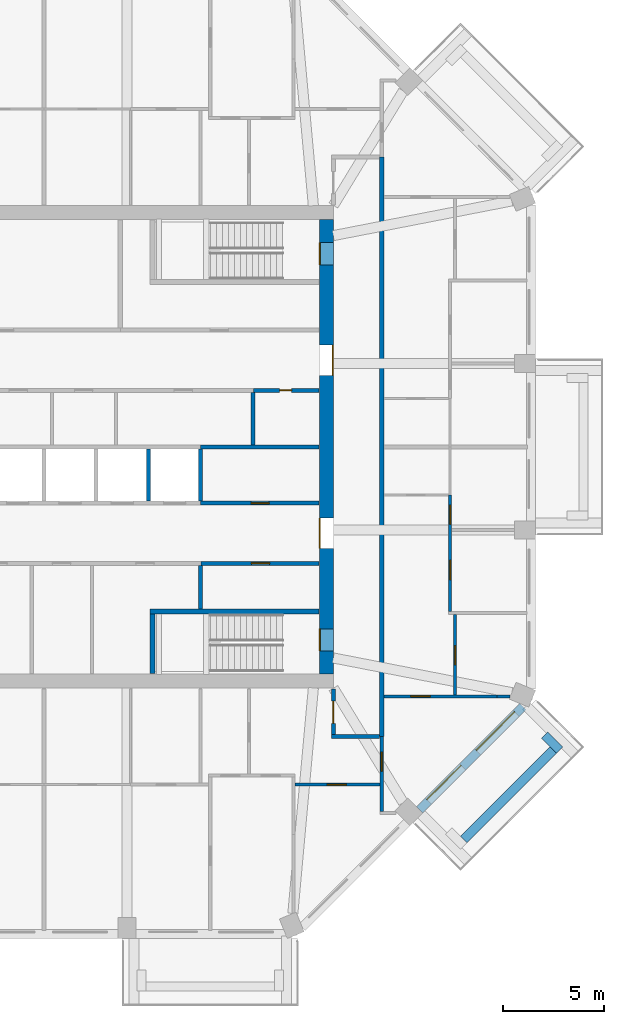
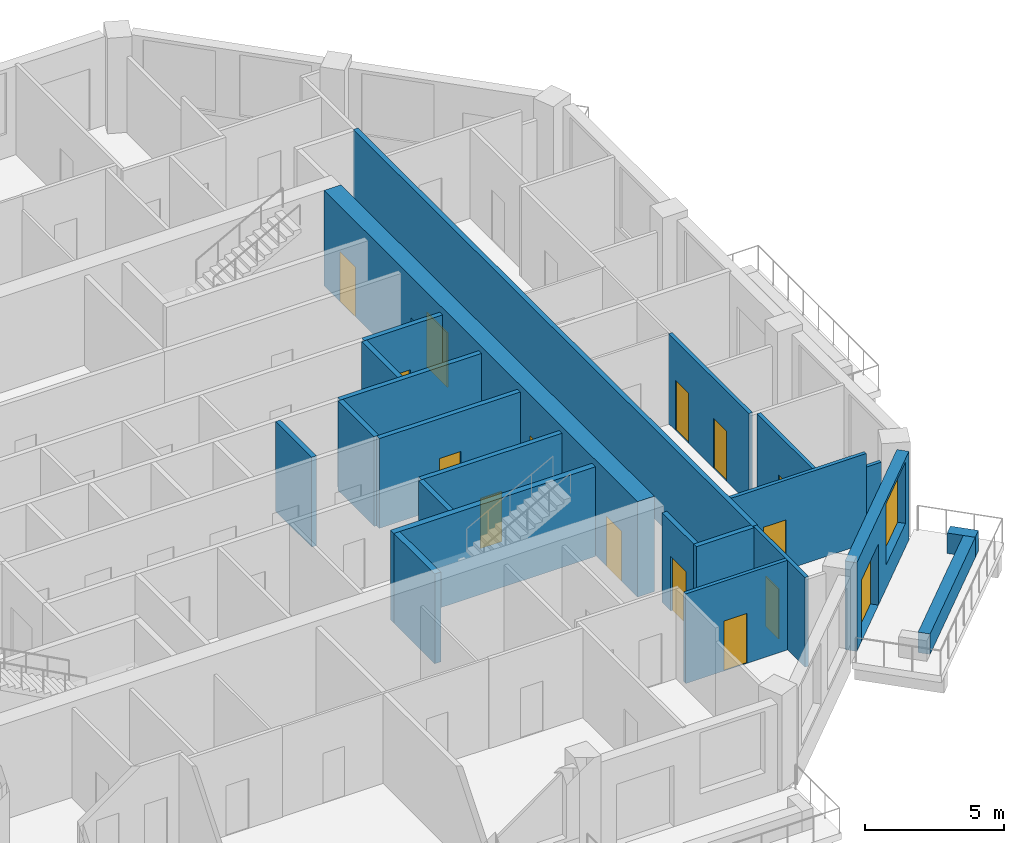
# One storey, part 6 of 12: 23 walls, 15 doors, 1 window, 16 openings.
"""IFC4 building model written with IfcOpenShell, lengths in metres."""

from ifc_helpers import new_model, si_unit, direction, frame, frame_2d, origin, place, context, subcontext, project, spatial, rectangle, extrude, material, layer, layer_set, type_object, element, fill, save


model = new_model("IFC4")

# Units and contexts
model_context = context("Model", 3, precision=1e-05, world=origin(), true_north=direction((0.0, 1.0)))
body_context = subcontext(model_context, "Body", "Model", "MODEL_VIEW")
ifc_project = project(units=[si_unit("LENGTHUNIT", "METRE"), si_unit("AREAUNIT", "SQUARE_METRE"), si_unit("VOLUMEUNIT", "CUBIC_METRE"), si_unit("PLANEANGLEUNIT", "RADIAN"), si_unit("MASSUNIT", "GRAM", prefix="KILO")], contexts=[model_context])

# Site, building, storey
site_placement = place(None, origin())
site = spatial("IfcSite", under=ifc_project, at=site_placement, CompositionType="ELEMENT")
building_placement = place(site_placement, origin())
building = spatial("IfcBuilding", under=site, at=building_placement, Name="Msitu Wima Residences", CompositionType="ELEMENT")
storey_placement = place(building_placement, frame((0.0, 0.0, 174.89990234375)))
storey = spatial("IfcBuildingStorey", under=building, at=storey_placement, Name="L40", CompositionType="ELEMENT", Elevation=174.89990234375)

# Walls
ifc_material_1 = material(Name="Facing brick")
ifc_layer_1 = layer(ifc_material_1, 0.06494140625, Name="Facing brick")
ifc_material_2 = material(Name="Concrete C40/50", Category="concrete")
ifc_layer_2 = layer(ifc_material_2, 0.156005859375, Name="Concrete C40/50")
ifc_material_3 = material(Name="Waterproofing membrane")
ifc_layer_3 = layer(ifc_material_3, 0.00390625, Name="Waterproofing membrane")
ifc_material_4 = material(Name="Planting soil and planting")
ifc_layer_4 = layer(ifc_material_4, 0.22509765625, Name="Planting soil and planting")
ifc_layer_set_1 = layer_set([ifc_layer_1, ifc_layer_2, ifc_layer_3, ifc_layer_4], Name="Concrete C40/50")
wall_type_1 = type_object("IfcWallType", Name="Balcony planter PLANTER PL450", PredefinedType="USERDEFINED", material=ifc_layer_set_1)
wall_1_placement = place(storey_placement, frame((20.875244140625, -19.53173828125, 0.0), z_axis=(0.0, 0.0, 1.0), x_axis=(0.707106781187, 0.707106781187, 0.0)))
element("IfcWall", 1, at=wall_1_placement, inside=storey, type_object=wall_type_1, Name="Balcony planter SE1 L40", ObjectType="PLANTER", PredefinedType="USERDEFINED", context=body_context, shape_type="SweptSolid", body=[
    extrude(rectangle(XDim=6.294189453125, YDim=0.449951171875, at=frame_2d((3.14697265625, 0.0))), origin(), (0.0, 0.0, 1.0), 0.900146484375),
])
wall_2_placement = place(storey_placement, frame((24.901611328125, -14.338623046875, 0.0), z_axis=(0.0, 0.0, 1.0), x_axis=(0.707106781187, -0.707106781187, 0.0)))
element("IfcWall", 2, at=wall_2_placement, inside=storey, type_object=wall_type_1, Name="Balcony planter SE1 L40", ObjectType="PLANTER", PredefinedType="USERDEFINED", context=body_context, shape_type="SweptSolid", body=[
    extrude(rectangle(XDim=1.050048828125, YDim=0.449951171875, at=frame_2d((0.52490234375, 0.0))), origin(), (0.0, 0.0, 1.0), 0.900146484375),
])

# Wall, openings, door, window
ifc_material_5 = material(Name="Brick (red buff mix)", Category="masonry")
ifc_layer_5 = layer(ifc_material_5, 0.449951171875)
ifc_layer_set_2 = layer_set([ifc_layer_5], Name="Brick (red buff mix)")
wall_type_2 = type_object("IfcWallType", Name="Brick infill wall BW450", PredefinedType="SOLIDWALL", material=ifc_layer_set_2)
wall_3_placement = place(storey_placement, frame((18.68310546875, -18.046875, 0.0), z_axis=(0.0, 0.0, 1.0), x_axis=(0.707106781187, 0.707106781187, 0.0)))
wall_3 = element("IfcWall", 3, at=wall_3_placement, inside=storey, type_object=wall_type_2, Name="Brick infill wall L40 SE1", PredefinedType="SOLIDWALL", context=body_context, shape_type="SweptSolid", body=[
    extrude(rectangle(XDim=7.257080078125, YDim=0.449951171875, at=frame_2d((3.62841796875, 0.0))), origin(), (0.0, 0.0, 1.0), 3.900146484375),
])
opening_1_placement = place(wall_3_placement, frame((0.6142578125, 0.0, 0.0)))
opening_1 = element("IfcOpeningElement", 4, at=opening_1_placement, cuts=wall_3, Name="Opening D40-42.008", PredefinedType="OPENING", context=body_context, shape_type="SweptSolid", body=[
    extrude(rectangle(XDim=2.39990234375, YDim=2.699951171875, at=frame_2d((1.199951171875, 1.35009765625))), frame((0.0, 0.23486328125, 0.0), z_axis=(0.0, -1.0, 0.0), x_axis=(1.0, 0.0, 0.0)), (0.0, 0.0, 1.0), 0.469970703125),
])
opening_2_placement = place(wall_3_placement, frame((4.07861328125, 0.0, 1.050048828125)))
opening_2 = element("IfcOpeningElement", 5, at=opening_2_placement, cuts=wall_3, Name="Opening W40-42.022", PredefinedType="OPENING", context=body_context, shape_type="SweptSolid", body=[
    extrude(rectangle(XDim=2.699951171875, YDim=2.699951171875, at=frame_2d((1.35009765625, 1.35009765625))), frame((0.0, 0.23486328125, 0.0), z_axis=(0.0, -1.0, 0.0), x_axis=(1.0, 0.0, 0.0)), (0.0, 0.0, 1.0), 0.469970703125),
])
ifc_material_6 = material(Name="Anodised aluminium, bronze finish, clear low-emissivity double glazing", Category="aluminium")
door_type_1 = type_object("IfcDoorType", Name="Balcony door D2400x2700", OperationType="SLIDING_TO_LEFT", PredefinedType="DOOR", material=ifc_material_6)
door_1_placement = place(opening_1_placement, origin())
door_1 = element("IfcDoor", 6, at=door_1_placement, inside=storey, type_object=door_type_1, Name="Balcony door L40 SE1", OperationType="SINGLE_SWING_LEFT", OverallHeight=2.699951171875, OverallWidth=2.39990234375, PredefinedType="DOOR", context=body_context, shape_type="SweptSolid", body=[
    extrude(rectangle(XDim=2.39990234375, YDim=2.699951171875, at=frame_2d((1.199951171875, 1.35009765625))), frame((0.0, 0.1298828125, 0.0), z_axis=(0.0, -1.0, 0.0), x_axis=(1.0, 0.0, 0.0)), (0.0, 0.0, 1.0), 0.050048828125),
])
fill(opening_1, door_1)
window_type = type_object("IfcWindowType", Name="Window W2700x2700", PartitioningType="DOUBLE_PANEL_VERTICAL", PredefinedType="WINDOW", material=ifc_material_6)
window_placement = place(opening_2_placement, origin())
window = element("IfcWindow", 7, at=window_placement, inside=storey, type_object=window_type, Name="Window L40 SE1.2", OverallHeight=2.699951171875, OverallWidth=2.699951171875, PartitioningType="SINGLE_PANEL", PredefinedType="WINDOW", context=body_context, shape_type="SweptSolid", body=[
    extrude(rectangle(XDim=2.699951171875, YDim=2.699951171875, at=frame_2d((1.35009765625, 1.35009765625))), frame((0.0, 0.135009765625, 0.0), z_axis=(0.0, -1.0, 0.0), x_axis=(1.0, 0.0, 0.0)), (0.0, 0.0, 1.0), 0.06005859375),
])
fill(opening_2, window)

# Wall, openings, doors
ifc_material_7 = material(Name="Concrete C60/75", Category="concrete")
ifc_layer_6 = layer(ifc_material_7, 0.699951171875)
ifc_layer_set_3 = layer_set([ifc_layer_6], Name="Concrete C60/75")
wall_type_3 = type_object("IfcWallType", Name="Core wall CW700 C60/75", PredefinedType="SHEAR", material=ifc_layer_set_3)
wall_4_placement = place(storey_placement, frame((14.050048828125, -11.300048828125, 0.0), z_axis=(0.0, 0.0, 1.0), x_axis=(0.0, 1.0, 0.0)))
wall_4 = element("IfcWall", 8, at=wall_4_placement, inside=storey, type_object=wall_type_3, Name="Core wall", PredefinedType="SHEAR", context=body_context, shape_type="SweptSolid", body=[
    extrude(rectangle(XDim=22.60009765625, YDim=0.699951171875, at=frame_2d((11.300048828125, 0.0))), origin(), (0.0, 0.0, 1.0), 4.2001953125),
])
opening_3_placement = place(wall_4_placement, frame((20.35009765625, 0.0, 0.0)))
opening_3 = element("IfcOpeningElement", 9, at=opening_3_placement, cuts=wall_4, Name="Opening D40-42.091", PredefinedType="OPENING", context=body_context, shape_type="SweptSolid", body=[
    extrude(rectangle(XDim=1.10009765625, YDim=2.199951171875, at=frame_2d((0.550048828125, 1.10009765625))), frame((0.0, 0.35986328125, 0.0), z_axis=(0.0, -1.0, 0.0), x_axis=(1.0, 0.0, 0.0)), (0.0, 0.0, 1.0), 0.719970703125),
])
opening_4_placement = place(wall_4_placement, frame((1.14990234375, 0.0, 0.0)))
opening_4 = element("IfcOpeningElement", 10, at=opening_4_placement, cuts=wall_4, Name="Opening D40-42.092", PredefinedType="OPENING", context=body_context, shape_type="SweptSolid", body=[
    extrude(rectangle(XDim=1.10009765625, YDim=2.199951171875, at=frame_2d((0.550048828125, 1.10009765625))), frame((0.0, 0.35986328125, 0.0), z_axis=(0.0, -1.0, 0.0), x_axis=(1.0, 0.0, 0.0)), (0.0, 0.0, 1.0), 0.719970703125),
])
opening_5_placement = place(wall_4_placement, frame((14.85009765625, 0.0, 0.0)))
opening_5 = element("IfcOpeningElement", 11, at=opening_5_placement, cuts=wall_4, Name="Opening D40-42.079", PredefinedType="OPENING", context=body_context, shape_type="SweptSolid", body=[
    extrude(rectangle(XDim=1.5, YDim=2.39990234375, at=frame_2d((0.75, 1.199951171875))), frame((0.0, 0.35986328125, 0.0), z_axis=(0.0, -1.0, 0.0), x_axis=(1.0, 0.0, 0.0)), (0.0, 0.0, 1.0), 0.719970703125),
])
opening_6_placement = place(wall_4_placement, frame((6.25, 0.0, 0.0)))
opening_6 = element("IfcOpeningElement", 12, at=opening_6_placement, cuts=wall_4, Name="Opening D40-42.080", PredefinedType="OPENING", context=body_context, shape_type="SweptSolid", body=[
    extrude(rectangle(XDim=1.5, YDim=2.39990234375, at=frame_2d((0.75, 1.199951171875))), frame((0.0, 0.35986328125, 0.0), z_axis=(0.0, -1.0, 0.0), x_axis=(1.0, 0.0, 0.0)), (0.0, 0.0, 1.0), 0.719970703125),
])
ifc_material_8 = material(Name="Steel framed glazed door, fire resisting", Category="steel")
door_type_2 = type_object("IfcDoorType", Name="Lobby door D07 1500x2400", OperationType="DOUBLE_DOOR_SINGLE_SWING", PredefinedType="DOOR", material=ifc_material_8)
door_2_placement = place(opening_5_placement, origin())
door_2 = element("IfcDoor", 13, at=door_2_placement, inside=storey, type_object=door_type_2, Name="Lobby door", OperationType="DOUBLE_DOOR_SINGLE_SWING", OverallHeight=2.39990234375, OverallWidth=1.5, PredefinedType="DOOR", context=body_context, shape_type="SweptSolid", body=[
    extrude(rectangle(XDim=1.5, YDim=2.39990234375, at=frame_2d((0.75, 1.199951171875))), frame((0.0, -0.294921875, 0.0), z_axis=(0.0, -1.0, 0.0), x_axis=(1.0, 0.0, 0.0)), (0.0, 0.0, 1.0), 0.050048828125),
])
fill(opening_5, door_2)
door_3_placement = place(opening_6_placement, origin())
door_3 = element("IfcDoor", 14, at=door_3_placement, inside=storey, type_object=door_type_2, Name="Lobby door", OperationType="DOUBLE_DOOR_SINGLE_SWING", OverallHeight=2.39990234375, OverallWidth=1.5, PredefinedType="DOOR", context=body_context, shape_type="SweptSolid", body=[
    extrude(rectangle(XDim=1.5, YDim=2.39990234375, at=frame_2d((0.75, 1.199951171875))), frame((0.0, 0.34521484375, 0.0), z_axis=(0.0, -1.0, 0.0), x_axis=(1.0, 0.0, 0.0)), (0.0, 0.0, 1.0), 0.050048828125),
])
fill(opening_6, door_3)
ifc_material_9 = material(Name="Steel door, fire resisting, panic bar", Category="steel")
door_type_3 = type_object("IfcDoorType", Name="Stair door D06 1100x2200", OperationType="SINGLE_SWING_LEFT", PredefinedType="DOOR", material=ifc_material_9)
door_4_placement = place(opening_3_placement, origin())
door_4 = element("IfcDoor", 15, at=door_4_placement, inside=storey, type_object=door_type_3, Name="Stair door", OperationType="SINGLE_SWING_LEFT", OverallHeight=2.199951171875, OverallWidth=1.10009765625, PredefinedType="DOOR", context=body_context, shape_type="SweptSolid", body=[
    extrude(rectangle(XDim=1.10009765625, YDim=2.199951171875, at=frame_2d((0.550048828125, 1.10009765625))), frame((0.0, 0.34521484375, 0.0), z_axis=(0.0, -1.0, 0.0), x_axis=(1.0, 0.0, 0.0)), (0.0, 0.0, 1.0), 0.050048828125),
])
fill(opening_3, door_4)
door_5_placement = place(opening_4_placement, origin())
door_5 = element("IfcDoor", 16, at=door_5_placement, inside=storey, type_object=door_type_3, Name="Stair door", OperationType="SINGLE_SWING_RIGHT", OverallHeight=2.199951171875, OverallWidth=1.10009765625, PredefinedType="DOOR", context=body_context, shape_type="SweptSolid", body=[
    extrude(rectangle(XDim=1.10009765625, YDim=2.199951171875, at=frame_2d((0.550048828125, 1.10009765625))), frame((0.0, 0.34521484375, 0.0), z_axis=(0.0, -1.0, 0.0), x_axis=(1.0, 0.0, 0.0)), (0.0, 0.0, 1.0), 0.050048828125),
])
fill(opening_4, door_5)

# Wall, opening, door
ifc_material_10 = material(Name="Plaster")
ifc_layer_7 = layer(ifc_material_10, 0.011962890625, Name="Plaster")
ifc_material_11 = material(Name="Concrete blockwork", Category="masonry")
ifc_layer_8 = layer(ifc_material_11, 0.176025390625, Name="Concrete blockwork")
ifc_layer_9 = layer(ifc_material_10, 0.011962890625, Name="Plaster")
ifc_layer_set_4 = layer_set([ifc_layer_7, ifc_layer_8, ifc_layer_9], Name="Concrete blockwork")
wall_type_4 = type_object("IfcWallType", Name="Corridor wall FW200", PredefinedType="PARTITIONING", material=ifc_layer_set_4)
wall_5_placement = place(storey_placement, frame((14.39990234375, -14.300048828125, 0.0), z_axis=(0.0, 0.0, 1.0), x_axis=(0.0, 1.0, 0.0)))
wall_5 = element("IfcWall", 17, at=wall_5_placement, inside=storey, type_object=wall_type_4, Name="Corridor wall", PredefinedType="PARTITIONING", context=body_context, shape_type="SweptSolid", body=[
    extrude(rectangle(XDim=2.27001953125, YDim=0.199951171875, at=frame_2d((1.135009765625, 0.0))), origin(), (0.0, 0.0, 1.0), 3.9501953125),
])
opening_7_placement = place(wall_5_placement, frame((0.550048828125, 0.0, 0.0)))
opening_7 = element("IfcOpeningElement", 18, at=opening_7_placement, cuts=wall_5, Name="Opening D40-42.053", PredefinedType="OPENING", context=body_context, shape_type="SweptSolid", body=[
    extrude(rectangle(XDim=1.10009765625, YDim=2.39990234375, at=frame_2d((0.550048828125, 1.199951171875))), frame((0.0, 0.10986328125, 0.0), z_axis=(0.0, -1.0, 0.0), x_axis=(1.0, 0.0, 0.0)), (0.0, 0.0, 1.0), 0.219970703125),
])
ifc_material_12 = material(Name="Timber flush door, fire resisting, self-closing", Category="wood")
door_type_4 = type_object("IfcDoorType", Name="Flat entrance door D01 1100x2400", OperationType="SINGLE_SWING_LEFT", PredefinedType="DOOR", material=ifc_material_12)
door_6_placement = place(opening_7_placement, origin())
door_6 = element("IfcDoor", 19, at=door_6_placement, inside=storey, type_object=door_type_4, Name="Flat entrance door", OperationType="SINGLE_SWING_RIGHT", OverallHeight=2.39990234375, OverallWidth=1.10009765625, PredefinedType="DOOR", context=body_context, shape_type="SweptSolid", body=[
    extrude(rectangle(XDim=1.10009765625, YDim=2.39990234375, at=frame_2d((0.550048828125, 1.199951171875))), frame((0.0, 0.02490234375, 0.0), z_axis=(0.0, -1.0, 0.0), x_axis=(1.0, 0.0, 0.0)), (0.0, 0.0, 1.0), 0.050048828125),
])
fill(opening_7, door_6)

# Walls
wall_6_placement = place(storey_placement, frame((14.300048828125, -14.39990234375, 0.0), z_axis=(0.0, 0.0, 1.0), x_axis=(1.0, 0.0, 0.0)))
element("IfcWall", 20, at=wall_6_placement, inside=storey, type_object=wall_type_4, Name="Corridor wall", PredefinedType="PARTITIONING", context=body_context, shape_type="SweptSolid", body=[
    extrude(rectangle(XDim=2.39990234375, YDim=0.199951171875, at=frame_2d((1.199951171875, 0.0))), origin(), (0.0, 0.0, 1.0), 3.9501953125),
])
wall_7_placement = place(storey_placement, frame((16.800048828125, -14.39990234375, 0.0), z_axis=(0.0, 0.0, 1.0), x_axis=(0.0, 1.0, 0.0)))
element("IfcWall", 21, at=wall_7_placement, inside=storey, type_object=wall_type_4, Name="Corridor wall", PredefinedType="PARTITIONING", context=body_context, shape_type="SweptSolid", body=[
    extrude(rectangle(XDim=28.7998046875, YDim=0.199951171875, at=frame_2d((14.39990234375, 0.0))), origin(), (0.0, 0.0, 1.0), 3.9501953125),
])

# Wall, opening, door
ifc_layer_10 = layer(ifc_material_10, 0.011962890625, Name="Plaster")
ifc_layer_11 = layer(ifc_material_11, 0.1259765625, Name="Concrete blockwork")
ifc_layer_12 = layer(ifc_material_10, 0.011962890625, Name="Plaster")
ifc_layer_set_5 = layer_set([ifc_layer_10, ifc_layer_11, ifc_layer_12], Name="Concrete blockwork")
wall_type_5 = type_object("IfcWallType", Name="Partition PW150", PredefinedType="PARTITIONING", material=ifc_layer_set_5)
wall_8_placement = place(storey_placement, frame((12.48681640625, -16.800048828125, 0.0), z_axis=(0.0, 0.0, 1.0), x_axis=(1.0, 0.0, 0.0)))
wall_8 = element("IfcWall", 22, at=wall_8_placement, inside=storey, type_object=wall_type_5, Name="Partition", PredefinedType="PARTITIONING", context=body_context, shape_type="SweptSolid", body=[
    extrude(rectangle(XDim=4.23828125, YDim=0.14990234375, at=frame_2d((2.119140625, 0.0))), origin(), (0.0, 0.0, 1.0), 3.9501953125),
])
opening_8_placement = place(wall_8_placement, frame((1.60009765625, 0.0, 0.0)))
opening_8 = element("IfcOpeningElement", 23, at=opening_8_placement, cuts=wall_8, Name="Opening D40-42.060", PredefinedType="OPENING", context=body_context, shape_type="SweptSolid", body=[
    extrude(rectangle(XDim=0.949951171875, YDim=2.199951171875, at=frame_2d((0.47509765625, 1.10009765625))), frame((0.0, 0.0849609375, 0.0), z_axis=(0.0, -1.0, 0.0), x_axis=(1.0, 0.0, 0.0)), (0.0, 0.0, 1.0), 0.169921875),
])
ifc_material_13 = material(Name="Timber flush door", Category="wood")
door_type_5 = type_object("IfcDoorType", Name="Room door D12 950x2200", OperationType="SINGLE_SWING_LEFT", PredefinedType="DOOR", material=ifc_material_13)
door_7_placement = place(opening_8_placement, origin())
door_7 = element("IfcDoor", 24, at=door_7_placement, inside=storey, type_object=door_type_5, Name="Room door", OperationType="SINGLE_SWING_RIGHT", OverallHeight=2.199951171875, OverallWidth=0.949951171875, PredefinedType="DOOR", context=body_context, shape_type="SweptSolid", body=[
    extrude(rectangle(XDim=0.949951171875, YDim=2.199951171875, at=frame_2d((0.47509765625, 1.10009765625))), frame((0.0, 0.02490234375, 0.0), z_axis=(0.0, -1.0, 0.0), x_axis=(1.0, 0.0, 0.0)), (0.0, 0.0, 1.0), 0.050048828125),
])
fill(opening_8, door_7)

wall_9_placement = place(storey_placement, frame((16.800048828125, -18.130859375, 0.0), z_axis=(0.0, 0.0, 1.0), x_axis=(0.0, 1.0, 0.0)))
wall_9 = element("IfcWall", 25, at=wall_9_placement, inside=storey, type_object=wall_type_5, Name="Partition", PredefinedType="PARTITIONING", context=body_context, shape_type="SweptSolid", body=[
    extrude(rectangle(XDim=3.73095703125, YDim=0.14990234375, at=frame_2d((1.865478515625, 0.0))), origin(), (0.0, 0.0, 1.0), 3.9501953125),
])
opening_9_placement = place(wall_9_placement, frame((2.0, 0.0, 0.0)))
opening_9 = element("IfcOpeningElement", 26, at=opening_9_placement, cuts=wall_9, Name="Opening D40-42.061", PredefinedType="OPENING", context=body_context, shape_type="SweptSolid", body=[
    extrude(rectangle(XDim=0.949951171875, YDim=2.199951171875, at=frame_2d((0.47509765625, 1.10009765625))), frame((0.0, 0.0849609375, 0.0), z_axis=(0.0, -1.0, 0.0), x_axis=(1.0, 0.0, 0.0)), (0.0, 0.0, 1.0), 0.169921875),
])
door_8_placement = place(opening_9_placement, origin())
door_8 = element("IfcDoor", 27, at=door_8_placement, inside=storey, type_object=door_type_5, Name="Room door", OperationType="SINGLE_SWING_RIGHT", OverallHeight=2.199951171875, OverallWidth=0.949951171875, PredefinedType="DOOR", context=body_context, shape_type="SweptSolid", body=[
    extrude(rectangle(XDim=0.949951171875, YDim=2.199951171875, at=frame_2d((0.47509765625, 1.10009765625))), frame((0.0, 0.02490234375, 0.0), z_axis=(0.0, -1.0, 0.0), x_axis=(1.0, 0.0, 0.0)), (0.0, 0.0, 1.0), 0.050048828125),
])
fill(opening_9, door_8)

wall_10_placement = place(storey_placement, frame((16.89990234375, -12.411865234375, 0.0), z_axis=(0.0, 0.0, 1.0), x_axis=(1.0, 0.0, 0.0)))
wall_10 = element("IfcWall", 28, at=wall_10_placement, inside=storey, type_object=wall_type_5, Name="Partition", PredefinedType="PARTITIONING", context=body_context, shape_type="SweptSolid", body=[
    extrude(rectangle(XDim=5.638427734375, YDim=0.14990234375, at=frame_2d((2.8193359375, 0.0))), origin(), (0.0, 0.0, 1.0), 3.9501953125),
])
opening_10_placement = place(wall_10_placement, frame((1.35009765625, 0.0, 0.0)))
opening_10 = element("IfcOpeningElement", 29, at=opening_10_placement, cuts=wall_10, Name="Opening D40-42.063", PredefinedType="OPENING", context=body_context, shape_type="SweptSolid", body=[
    extrude(rectangle(XDim=0.949951171875, YDim=2.199951171875, at=frame_2d((0.47509765625, 1.10009765625))), frame((0.0, 0.0849609375, 0.0), z_axis=(0.0, -1.0, 0.0), x_axis=(1.0, 0.0, 0.0)), (0.0, 0.0, 1.0), 0.169921875),
])
door_9_placement = place(opening_10_placement, origin())
door_9 = element("IfcDoor", 30, at=door_9_placement, inside=storey, type_object=door_type_5, Name="Room door", OperationType="SINGLE_SWING_RIGHT", OverallHeight=2.199951171875, OverallWidth=0.949951171875, PredefinedType="DOOR", context=body_context, shape_type="SweptSolid", body=[
    extrude(rectangle(XDim=0.949951171875, YDim=2.199951171875, at=frame_2d((0.47509765625, 1.10009765625))), frame((0.0, 0.02490234375, 0.0), z_axis=(0.0, -1.0, 0.0), x_axis=(1.0, 0.0, 0.0)), (0.0, 0.0, 1.0), 0.050048828125),
])
fill(opening_10, door_9)

# Wall
wall_11_placement = place(storey_placement, frame((22.538330078125, -12.411865234375, 0.0), z_axis=(0.0, 0.0, 1.0), x_axis=(1.0, 0.0, 0.0)))
element("IfcWall", 31, at=wall_11_placement, inside=storey, type_object=wall_type_5, Name="Partition", PredefinedType="PARTITIONING", context=body_context, shape_type="SweptSolid", body=[
    extrude(rectangle(XDim=0.630615234375, YDim=0.14990234375, at=frame_2d((0.3154296875, 0.0))), origin(), (0.0, 0.0, 1.0), 3.35009765625),
])

# Wall, openings, doors
wall_12_placement = place(storey_placement, frame((20.199951171875, -8.199462890625, 0.0), z_axis=(0.0, 0.0, 1.0), x_axis=(0.0, 1.0, 0.0)))
wall_12 = element("IfcWall", 32, at=wall_12_placement, inside=storey, type_object=wall_type_5, Name="Partition", PredefinedType="PARTITIONING", context=body_context, shape_type="SweptSolid", body=[
    extrude(rectangle(XDim=5.799560546875, YDim=0.14990234375, at=frame_2d((2.89990234375, 0.0))), origin(), (0.0, 0.0, 1.0), 3.9501953125),
])
opening_11_placement = place(wall_12_placement, frame((4.35009765625, 0.0, 0.0)))
opening_11 = element("IfcOpeningElement", 33, at=opening_11_placement, cuts=wall_12, Name="Opening D40-42.064", PredefinedType="OPENING", context=body_context, shape_type="SweptSolid", body=[
    extrude(rectangle(XDim=0.949951171875, YDim=2.199951171875, at=frame_2d((0.47509765625, 1.10009765625))), frame((0.0, 0.0849609375, 0.0), z_axis=(0.0, -1.0, 0.0), x_axis=(1.0, 0.0, 0.0)), (0.0, 0.0, 1.0), 0.169921875),
])
opening_12_placement = place(wall_12_placement, frame((1.60009765625, 0.0, 0.0)))
opening_12 = element("IfcOpeningElement", 34, at=opening_12_placement, cuts=wall_12, Name="Opening D40-42.065", PredefinedType="OPENING", context=body_context, shape_type="SweptSolid", body=[
    extrude(rectangle(XDim=0.949951171875, YDim=2.199951171875, at=frame_2d((0.47509765625, 1.10009765625))), frame((0.0, 0.0849609375, 0.0), z_axis=(0.0, -1.0, 0.0), x_axis=(1.0, 0.0, 0.0)), (0.0, 0.0, 1.0), 0.169921875),
])
door_10_placement = place(opening_11_placement, origin())
door_10 = element("IfcDoor", 35, at=door_10_placement, inside=storey, type_object=door_type_5, Name="Room door", OperationType="SINGLE_SWING_RIGHT", OverallHeight=2.199951171875, OverallWidth=0.949951171875, PredefinedType="DOOR", context=body_context, shape_type="SweptSolid", body=[
    extrude(rectangle(XDim=0.949951171875, YDim=2.199951171875, at=frame_2d((0.47509765625, 1.10009765625))), frame((0.0, 0.02490234375, 0.0), z_axis=(0.0, -1.0, 0.0), x_axis=(1.0, 0.0, 0.0)), (0.0, 0.0, 1.0), 0.050048828125),
])
fill(opening_11, door_10)
door_11_placement = place(opening_12_placement, origin())
door_11 = element("IfcDoor", 36, at=door_11_placement, inside=storey, type_object=door_type_5, Name="Room door", OperationType="SINGLE_SWING_LEFT", OverallHeight=2.199951171875, OverallWidth=0.949951171875, PredefinedType="DOOR", context=body_context, shape_type="SweptSolid", body=[
    extrude(rectangle(XDim=0.949951171875, YDim=2.199951171875, at=frame_2d((0.47509765625, 1.10009765625))), frame((0.0, 0.02490234375, 0.0), z_axis=(0.0, -1.0, 0.0), x_axis=(1.0, 0.0, 0.0)), (0.0, 0.0, 1.0), 0.050048828125),
])
fill(opening_12, door_11)

# Wall, opening, door
wall_13_placement = place(storey_placement, frame((20.449951171875, -12.336669921875, 0.0), z_axis=(0.0, 0.0, 1.0), x_axis=(0.0, 1.0, 0.0)))
wall_13 = element("IfcWall", 37, at=wall_13_placement, inside=storey, type_object=wall_type_5, Name="Partition", PredefinedType="PARTITIONING", context=body_context, shape_type="SweptSolid", body=[
    extrude(rectangle(XDim=3.987060546875, YDim=0.14990234375, at=frame_2d((1.99365234375, 0.0))), origin(), (0.0, 0.0, 1.0), 3.9501953125),
])
opening_13_placement = place(wall_13_placement, frame((1.5, 0.0, 0.0)))
opening_13 = element("IfcOpeningElement", 38, at=opening_13_placement, cuts=wall_13, Name="Opening D40-42.066", PredefinedType="OPENING", context=body_context, shape_type="SweptSolid", body=[
    extrude(rectangle(XDim=0.949951171875, YDim=2.199951171875, at=frame_2d((0.47509765625, 1.10009765625))), frame((0.0, 0.0849609375, 0.0), z_axis=(0.0, -1.0, 0.0), x_axis=(1.0, 0.0, 0.0)), (0.0, 0.0, 1.0), 0.169921875),
])
door_12_placement = place(opening_13_placement, origin())
door_12 = element("IfcDoor", 39, at=door_12_placement, inside=storey, type_object=door_type_5, Name="Room door", OperationType="SINGLE_SWING_LEFT", OverallHeight=2.199951171875, OverallWidth=0.949951171875, PredefinedType="DOOR", context=body_context, shape_type="SweptSolid", body=[
    extrude(rectangle(XDim=0.949951171875, YDim=2.199951171875, at=frame_2d((0.47509765625, 1.10009765625))), frame((0.0, 0.02490234375, 0.0), z_axis=(0.0, -1.0, 0.0), x_axis=(1.0, 0.0, 0.0)), (0.0, 0.0, 1.0), 0.050048828125),
])
fill(opening_13, door_12)

ifc_layer_13 = layer(ifc_material_10, 0.011962890625, Name="Plaster")
ifc_material_14 = material(Name="Reinforced concrete blockwork", Category="masonry")
ifc_layer_14 = layer(ifc_material_14, 0.176025390625, Name="Reinforced concrete blockwork")
ifc_layer_15 = layer(ifc_material_10, 0.011962890625, Name="Plaster")
ifc_layer_set_6 = layer_set([ifc_layer_13, ifc_layer_14, ifc_layer_15], Name="Reinforced concrete blockwork")
wall_type_6 = type_object("IfcWallType", Name="Plant and riser wall PL200", PredefinedType="PARTITIONING", material=ifc_layer_set_6)
wall_14_placement = place(storey_placement, frame((7.820068359375, -5.800048828125, 0.0), z_axis=(0.0, 0.0, 1.0), x_axis=(1.0, 0.0, 0.0)))
wall_14 = element("IfcWall", 40, at=wall_14_placement, inside=storey, type_object=wall_type_6, Name="Plant and riser wall", PredefinedType="PARTITIONING", context=body_context, shape_type="SweptSolid", body=[
    extrude(rectangle(XDim=5.849853515625, YDim=0.199951171875, at=frame_2d((2.9248046875, 0.0))), origin(), (0.0, 0.0, 1.0), 3.9501953125),
])
opening_14_placement = place(wall_14_placement, frame((2.5, 0.0, 0.0)))
opening_14 = element("IfcOpeningElement", 41, at=opening_14_placement, cuts=wall_14, Name="Opening D40-42.078", PredefinedType="OPENING", context=body_context, shape_type="SweptSolid", body=[
    extrude(rectangle(XDim=0.89990234375, YDim=2.199951171875, at=frame_2d((0.449951171875, 1.10009765625))), frame((0.0, 0.10986328125, 0.0), z_axis=(0.0, -1.0, 0.0), x_axis=(1.0, 0.0, 0.0)), (0.0, 0.0, 1.0), 0.219970703125),
])
door_type_6 = type_object("IfcDoorType", Name="Service door D05 900x2200", OperationType="SINGLE_SWING_LEFT", PredefinedType="DOOR", material=ifc_material_13)
door_13_placement = place(opening_14_placement, origin())
door_13 = element("IfcDoor", 42, at=door_13_placement, inside=storey, type_object=door_type_6, Name="Service door", OperationType="SINGLE_SWING_RIGHT", OverallHeight=2.199951171875, OverallWidth=0.89990234375, PredefinedType="DOOR", context=body_context, shape_type="SweptSolid", body=[
    extrude(rectangle(XDim=0.89990234375, YDim=2.199951171875, at=frame_2d((0.449951171875, 1.10009765625))), frame((0.0, 0.02490234375, 0.0), z_axis=(0.0, -1.0, 0.0), x_axis=(1.0, 0.0, 0.0)), (0.0, 0.0, 1.0), 0.050048828125),
])
fill(opening_14, door_13)

wall_15_placement = place(storey_placement, frame((7.800048828125, -2.800048828125, 0.0), z_axis=(0.0, 0.0, 1.0), x_axis=(1.0, 0.0, 0.0)))
wall_15 = element("IfcWall", 43, at=wall_15_placement, inside=storey, type_object=wall_type_6, Name="Plant and riser wall", PredefinedType="PARTITIONING", context=body_context, shape_type="SweptSolid", body=[
    extrude(rectangle(XDim=5.869873046875, YDim=0.199951171875, at=frame_2d((2.93505859375, 0.0))), origin(), (0.0, 0.0, 1.0), 3.9501953125),
])
opening_15_placement = place(wall_15_placement, frame((2.5, 0.0, 0.0)))
opening_15 = element("IfcOpeningElement", 44, at=opening_15_placement, cuts=wall_15, Name="Opening D40-42.067", PredefinedType="OPENING", context=body_context, shape_type="SweptSolid", body=[
    extrude(rectangle(XDim=0.89990234375, YDim=2.199951171875, at=frame_2d((0.449951171875, 1.10009765625))), frame((0.0, 0.10986328125, 0.0), z_axis=(0.0, -1.0, 0.0), x_axis=(1.0, 0.0, 0.0)), (0.0, 0.0, 1.0), 0.219970703125),
])
door_14_placement = place(opening_15_placement, origin())
door_14 = element("IfcDoor", 45, at=door_14_placement, inside=storey, type_object=door_type_6, Name="Service door", OperationType="SINGLE_SWING_LEFT", OverallHeight=2.199951171875, OverallWidth=0.89990234375, PredefinedType="DOOR", context=body_context, shape_type="SweptSolid", body=[
    extrude(rectangle(XDim=0.89990234375, YDim=2.199951171875, at=frame_2d((0.449951171875, 1.10009765625))), frame((0.0, 0.02490234375, 0.0), z_axis=(0.0, -1.0, 0.0), x_axis=(1.0, 0.0, 0.0)), (0.0, 0.0, 1.0), 0.050048828125),
])
fill(opening_15, door_14)

# Walls
wall_16_placement = place(storey_placement, frame((7.800048828125, -8.074951171875, 0.0), z_axis=(0.0, 0.0, 1.0), x_axis=(0.0, 1.0, 0.0)))
element("IfcWall", 46, at=wall_16_placement, inside=storey, type_object=wall_type_6, Name="Plant and riser wall", PredefinedType="PARTITIONING", context=body_context, shape_type="SweptSolid", body=[
    extrude(rectangle(XDim=2.175048828125, YDim=0.199951171875, at=frame_2d((1.08740234375, 0.0))), origin(), (0.0, 0.0, 1.0), 3.9501953125),
])
wall_17_placement = place(storey_placement, frame((7.800048828125, 0.0, 0.0), z_axis=(0.0, 0.0, 1.0), x_axis=(1.0, 0.0, 0.0)))
element("IfcWall", 47, at=wall_17_placement, inside=storey, type_object=wall_type_6, Name="Plant and riser wall", PredefinedType="PARTITIONING", context=body_context, shape_type="SweptSolid", body=[
    extrude(rectangle(XDim=5.869873046875, YDim=0.199951171875, at=frame_2d((2.93505859375, 0.0))), origin(), (0.0, 0.0, 1.0), 3.9501953125),
])

# Wall, opening, door
wall_18_placement = place(storey_placement, frame((10.419921875, 2.800048828125, 0.0), z_axis=(0.0, 0.0, 1.0), x_axis=(1.0, 0.0, 0.0)))
wall_18 = element("IfcWall", 48, at=wall_18_placement, inside=storey, type_object=wall_type_6, Name="Plant and riser wall", PredefinedType="PARTITIONING", context=body_context, shape_type="SweptSolid", body=[
    extrude(rectangle(XDim=3.25, YDim=0.199951171875, at=frame_2d((1.625, 0.0))), origin(), (0.0, 0.0, 1.0), 3.9501953125),
])
opening_16_placement = place(wall_18_placement, frame((1.300048828125, 0.0, 0.0)))
opening_16 = element("IfcOpeningElement", 49, at=opening_16_placement, cuts=wall_18, Name="Opening D40-42.085", PredefinedType="OPENING", context=body_context, shape_type="SweptSolid", body=[
    extrude(rectangle(XDim=0.60009765625, YDim=2.0, at=frame_2d((0.300048828125, 1.0))), frame((0.0, 0.10986328125, 0.0), z_axis=(0.0, -1.0, 0.0), x_axis=(1.0, 0.0, 0.0)), (0.0, 0.0, 1.0), 0.219970703125),
])
ifc_material_15 = material(Name="Steel access door, fire resisting", Category="steel")
door_type_7 = type_object("IfcDoorType", Name="Riser access door D08 600x2000", OperationType="SINGLE_SWING_LEFT", PredefinedType="DOOR", material=ifc_material_15)
door_15_placement = place(opening_16_placement, origin())
door_15 = element("IfcDoor", 50, at=door_15_placement, inside=storey, type_object=door_type_7, Name="Riser access door", OperationType="SINGLE_SWING_RIGHT", OverallHeight=2.0, OverallWidth=0.60009765625, PredefinedType="DOOR", context=body_context, shape_type="SweptSolid", body=[
    extrude(rectangle(XDim=0.60009765625, YDim=2.0, at=frame_2d((0.300048828125, 1.0))), frame((0.0, 0.02490234375, 0.0), z_axis=(0.0, -1.0, 0.0), x_axis=(1.0, 0.0, 0.0)), (0.0, 0.0, 1.0), 0.050048828125),
])
fill(opening_16, door_15)

# Walls
wall_19_placement = place(storey_placement, frame((10.39990234375, 0.10009765625, 0.0), z_axis=(0.0, 0.0, 1.0), x_axis=(0.0, 1.0, 0.0)))
element("IfcWall", 51, at=wall_19_placement, inside=storey, type_object=wall_type_6, Name="Plant and riser wall", PredefinedType="PARTITIONING", context=body_context, shape_type="SweptSolid", body=[
    extrude(rectangle(XDim=2.599853515625, YDim=0.199951171875, at=frame_2d((1.2998046875, 0.0))), origin(), (0.0, 0.0, 1.0), 3.9501953125),
])
ifc_material_16 = material(Name="Fire-rated board")
ifc_layer_16 = layer(ifc_material_16, 0.02490234375, Name="Fire-rated board")
ifc_material_17 = material(Name="Light-gauge stud framing with mineral wool")
ifc_layer_17 = layer(ifc_material_17, 0.14990234375, Name="Light-gauge stud framing with mineral wool")
ifc_layer_18 = layer(ifc_material_16, 0.02490234375, Name="Fire-rated board")
ifc_layer_set_7 = layer_set([ifc_layer_16, ifc_layer_17, ifc_layer_18], Name="Light-gauge stud framing with mineral wool")
wall_type_7 = type_object("IfcWallType", Name="Shaft wall SH200", PredefinedType="PARTITIONING", material=ifc_layer_set_7)
for number, where, z_axis, x_axis, name in (
    (52, (5.199951171875, -2.699951171875, 0.0), (0.0, 0.0, 1.0), (0.0, 1.0, 0.0), "Shaft wall"),
    (53, (7.800048828125, -2.699951171875, 0.0), (0.0, 0.0, 1.0), (0.0, 1.0, 0.0), "Shaft wall"),
):
    element("IfcWall", number, at=place(storey_placement, frame(where, z_axis=z_axis, x_axis=x_axis)), inside=storey, type_object=wall_type_7, Name=name, PredefinedType="PARTITIONING", context=body_context, shape_type="SweptSolid", body=[
        extrude(rectangle(XDim=2.599853515625, YDim=0.199951171875, at=frame_2d((1.2998046875, 0.0))), origin(), (0.0, 0.0, 1.0), 3.9501953125),
    ])
ifc_material_18 = material(Name="Concrete C50/60", Category="concrete")
ifc_layer_19 = layer(ifc_material_18, 0.25)
ifc_layer_set_8 = layer_set([ifc_layer_19], Name="Concrete C50/60")
wall_type_8 = type_object("IfcWallType", Name="Stair enclosure wall SW250", PredefinedType="SHEAR", material=ifc_layer_set_8)
wall_20_placement = place(storey_placement, frame((5.39990234375, -11.27001953125, 0.0), z_axis=(0.0, 0.0, 1.0), x_axis=(0.0, 1.0, 0.0)))
element("IfcWall", 54, at=wall_20_placement, inside=storey, type_object=wall_type_8, Name="Stair enclosure wall", PredefinedType="SHEAR", context=body_context, shape_type="SweptSolid", body=[
    extrude(rectangle(XDim=2.945068359375, YDim=0.25, at=frame_2d((1.47265625, 0.0))), origin(), (0.0, 0.0, 1.0), 3.9501953125),
])
wall_21_placement = place(storey_placement, frame((5.27490234375, -8.199951171875, 0.0), z_axis=(0.0, 0.0, 1.0), x_axis=(1.0, 0.0, 0.0)))
element("IfcWall", 55, at=wall_21_placement, inside=storey, type_object=wall_type_8, Name="Stair enclosure wall", PredefinedType="SHEAR", context=body_context, shape_type="SweptSolid", body=[
    extrude(rectangle(XDim=8.39501953125, YDim=0.25, at=frame_2d((4.197509765625, 0.0))), origin(), (0.0, 0.0, 1.0), 3.9501953125),
])

save(model, "model.ifc")
